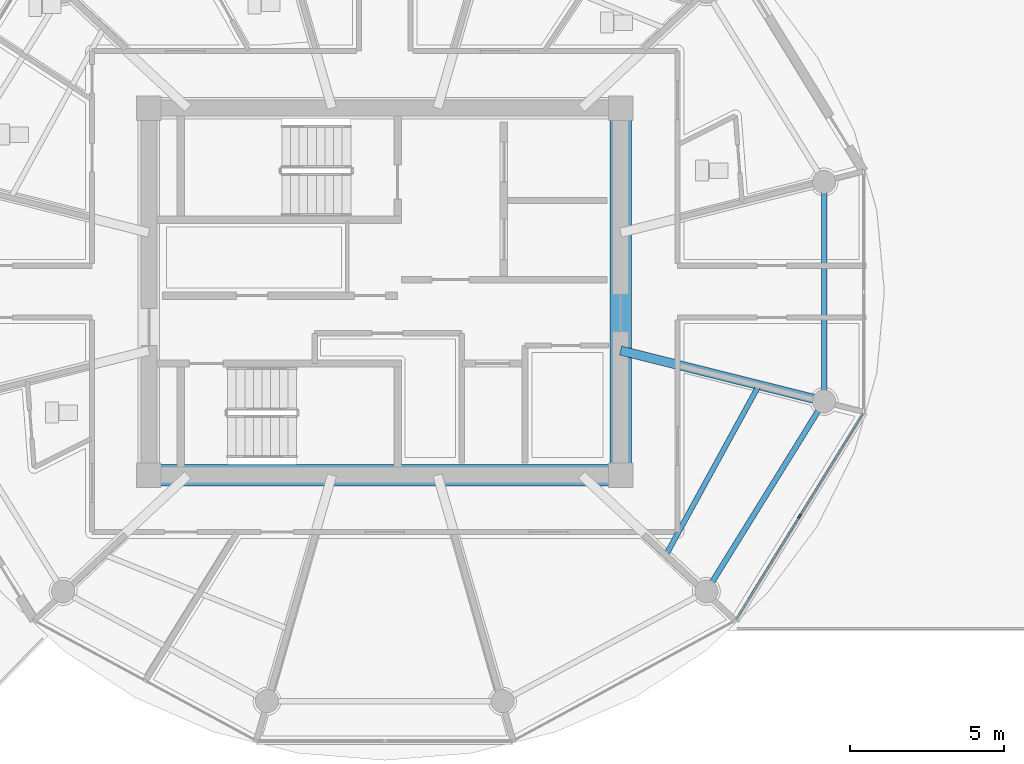
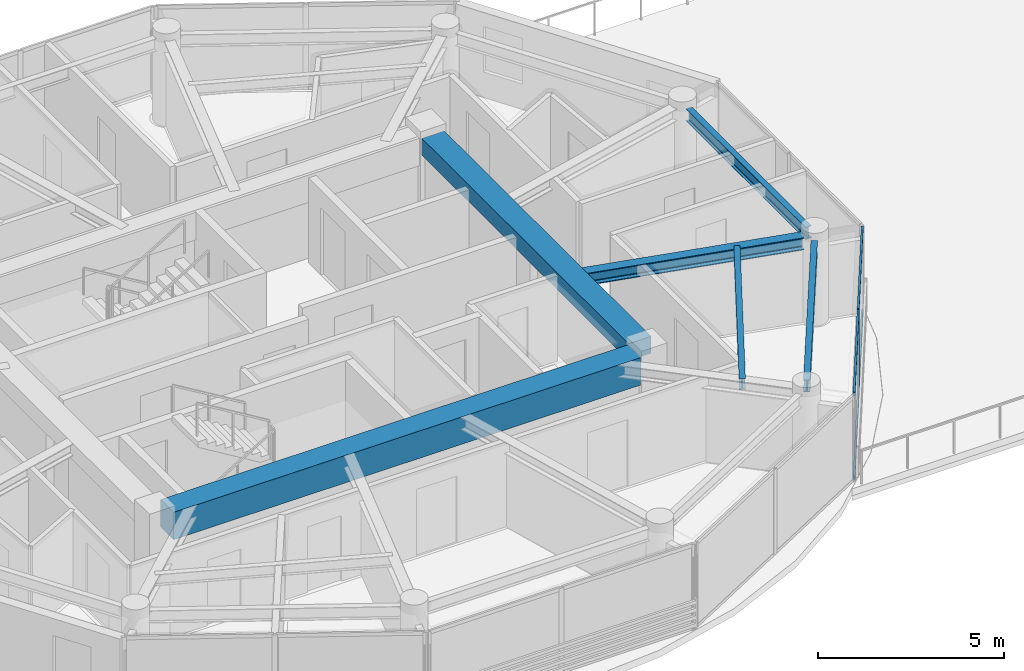
# One storey, part 3 of 30: 6 beams, 5 members, 1 element without a shape of its own.
"""IFC4 building model written with IfcOpenShell, lengths in metres."""

from ifc_helpers import new_model, si_unit, direction, frame, origin, origin_2d, place, context, subcontext, project, spatial, rectangle, i_section, extrude, source, transform, mapped, material, layer, layer_set, material_profile, profile_set, type_object, type_shapes, element, aggregate, save


model = new_model("IFC4")

# Units and contexts
model_context = context("Model", 3, precision=1e-05, world=origin(), true_north=direction((0.0, 1.0)))
body_context = subcontext(model_context, "Body", "Model", "MODEL_VIEW")
ifc_project = project(units=[si_unit("LENGTHUNIT", "METRE"), si_unit("AREAUNIT", "SQUARE_METRE"), si_unit("VOLUMEUNIT", "CUBIC_METRE"), si_unit("PLANEANGLEUNIT", "RADIAN"), si_unit("MASSUNIT", "GRAM", prefix="KILO")], contexts=[model_context])

# Site, building, storey
site_placement = place(None, origin())
site = spatial("IfcSite", under=ifc_project, at=site_placement, CompositionType="ELEMENT")
building_placement = place(site_placement, origin())
building = spatial("IfcBuilding", under=site, at=building_placement, Name="Norrkilde Senior Care Towers", CompositionType="ELEMENT")
storey_placement = place(building_placement, frame((0.0, 0.0, 232.199951171875)))
storey = spatial("IfcBuildingStorey", under=building, at=storey_placement, Name="L72", CompositionType="ELEMENT", Elevation=232.199951171875)

# Beams
ifc_material_1 = material(Name="Concrete C60/75", Category="concrete")
ifc_material_profile_1 = material_profile(ifc_material_1, rectangle(XDim=0.699951171875, YDim=0.89990234375, at=origin_2d()), Name="RC BM 700x900")
ifc_profile_set_1 = profile_set([ifc_material_profile_1], Name="Concrete C60/75")
beam_type_1 = type_object("IfcBeamType", Name="Core Coupling Girder 700x900", PredefinedType="USERDEFINED", material=ifc_profile_set_1)
shared_shape_1 = source(origin(), body_context, "Body", "SweptSolid", [
    extrude(rectangle(XDim=0.699951171875, YDim=0.89990234375, at=origin_2d()), origin(), (0.0, 0.0, 1.0), 14.5400390625),
])
type_shapes(beam_type_1, [shared_shape_1])
beam_1_placement = place(storey_placement, frame((-35.27001953125, -5.949951171875, 2.360107421875), z_axis=(1.0, 0.0, 0.0), x_axis=(0.0, 1.0, 0.0)))
element("IfcBeam", 1, at=beam_1_placement, inside=storey, type_object=beam_type_1, Name="L72 Core W S Coupling Girder", ObjectType="GIRDER", PredefinedType="USERDEFINED", context=body_context, shape_type="MappedRepresentation", body=[
    mapped(shared_shape_1, transform((0.0, 0.0, 0.0), x_axis=(1.0, 0.0, 0.0), y_axis=(0.0, 1.0, 0.0), z_axis=(0.0, 0.0, 1.0), scale=1.0)),
])
ifc_material_profile_2 = material_profile(ifc_material_1, rectangle(XDim=0.699951171875, YDim=0.550048828125, at=origin_2d()), Name="RC BM 700x550")
ifc_profile_set_2 = profile_set([ifc_material_profile_2], Name="Concrete C60/75")
beam_type_2 = type_object("IfcBeamType", Name="Core Portal Coupling Beam 700x550", PredefinedType="USERDEFINED", material=ifc_profile_set_2)
shared_shape_2 = source(origin(), body_context, "Body", "SweptSolid", [
    extrude(rectangle(XDim=0.699951171875, YDim=0.550048828125, at=origin_2d()), origin(), (0.0, 0.0, 1.0), 11.14013671875),
])
type_shapes(beam_type_2, [shared_shape_2])
beam_2_placement = place(storey_placement, frame((-20.35009765625, -5.570068359375, 2.53515625), z_axis=(0.0, 1.0, 0.0), x_axis=(-1.0, 0.0, 0.0)))
element("IfcBeam", 2, at=beam_2_placement, inside=storey, type_object=beam_type_2, Name="L72 Core W E Coupling Girder", ObjectType="GIRDER", PredefinedType="USERDEFINED", context=body_context, shape_type="MappedRepresentation", body=[
    mapped(shared_shape_2, transform((0.0, 0.0, 0.0), x_axis=(1.0, 0.0, 0.0), y_axis=(0.0, 1.0, 0.0), z_axis=(0.0, 0.0, 1.0), scale=1.0)),
])
ifc_material_2 = material(Name="Steel S355", Category="steel")
ifc_material_profile_3 = material_profile(ifc_material_2, i_section(OverallWidth=0.179931640625, OverallDepth=0.39990234375, WebThickness=0.008544921875, FlangeThickness=0.013427734375, FilletRadius=0.02099609375, at=origin_2d()), Name="IPE 400")
ifc_profile_set_3 = profile_set([ifc_material_profile_3], Name="Steel S355")
beam_type_3 = type_object("IfcBeamType", Name="Perimeter Ring Spandrel Z4 IPE400", PredefinedType="SPANDREL", material=ifc_profile_set_3)
shared_shape_3 = source(origin(), body_context, "Body", "SweptSolid", [
    extrude(i_section(OverallWidth=0.179931640625, OverallDepth=0.39990234375, WebThickness=0.008544921875, FlangeThickness=0.013427734375, FilletRadius=0.02099609375, at=origin_2d()), origin(), (0.0, 0.0, 1.0), 6.58056640625),
])
beam_3_placement = place(storey_placement, frame((-17.393798828125, -9.43798828125, 2.610107421875), z_axis=(0.526529583789, 0.850156807533, 0.0), x_axis=(-0.850156807533, 0.526529583789, 0.0)))
element("IfcBeam", 3, at=beam_3_placement, inside=storey, type_object=beam_type_3, Name="L72 Drum W Perimeter Spandrel 11", PredefinedType="SPANDREL", context=body_context, shape_type="MappedRepresentation", body=[
    mapped(shared_shape_3, transform((0.0, 0.0, 0.0), x_axis=(1.0, 0.0, 0.0), y_axis=(0.0, 1.0, 0.0), z_axis=(0.0, 0.0, 1.0), scale=1.0)),
])
ifc_material_profile_4 = material_profile(ifc_material_2, i_section(OverallWidth=0.300048828125, OverallDepth=0.39990234375, WebThickness=0.013427734375, FlangeThickness=0.02392578125, FilletRadius=0.027099609375, at=origin_2d()), Name="HEB 400")
ifc_profile_set_4 = profile_set([ifc_material_profile_4], Name="Steel S355")
beam_type_4 = type_object("IfcBeamType", Name="Radial Floor Beam Z4 HEB400", PredefinedType="BEAM", material=ifc_profile_set_4)
shared_shape_4 = source(origin(), body_context, "Body", "SweptSolid", [
    extrude(i_section(OverallWidth=0.300048828125, OverallDepth=0.39990234375, WebThickness=0.013427734375, FlangeThickness=0.02392578125, FilletRadius=0.027099609375, at=origin_2d()), origin(), (0.0, 0.0, 1.0), 6.465087890625),
])
type_shapes(beam_type_4, [shared_shape_4])
beam_4_placement = place(storey_placement, frame((-20.35009765625, -1.910888671875, 2.610107421875), z_axis=(0.970195788563, -0.242322371758, 0.0), x_axis=(0.242322371758, 0.970195788563, 0.0)))
element("IfcBeam", 4, at=beam_4_placement, inside=storey, type_object=beam_type_4, Name="L72 Drum W Radial Floor Beam 12", PredefinedType="BEAM", context=body_context, shape_type="MappedRepresentation", body=[
    mapped(shared_shape_4, transform((0.0, 0.0, 0.0), x_axis=(1.0, 0.0, 0.0), y_axis=(0.0, 1.0, 0.0), z_axis=(0.0, 0.0, 1.0), scale=1.0)),
])
shared_shape_5 = source(origin(), body_context, "Body", "SweptSolid", [
    extrude(i_section(OverallWidth=0.179931640625, OverallDepth=0.39990234375, WebThickness=0.008544921875, FlangeThickness=0.013427734375, FilletRadius=0.02099609375, at=origin_2d()), origin(), (0.0, 0.0, 1.0), 6.44775390625),
])
type_shapes(beam_type_3, [shared_shape_3, shared_shape_5])
beam_5_placement = place(storey_placement, frame((-13.752685546875, -3.223876953125, 2.610107421875), z_axis=(0.0, 1.0, 0.0), x_axis=(-1.0, 0.0, 0.0)))
element("IfcBeam", 5, at=beam_5_placement, inside=storey, type_object=beam_type_3, Name="L72 Drum W Perimeter Spandrel 12", PredefinedType="SPANDREL", context=body_context, shape_type="MappedRepresentation", body=[
    mapped(shared_shape_5, transform((0.0, 0.0, 0.0), x_axis=(1.0, 0.0, 0.0), y_axis=(0.0, 1.0, 0.0), z_axis=(0.0, 0.0, 1.0), scale=1.0)),
])
ifc_material_profile_5 = material_profile(ifc_material_2, i_section(OverallWidth=0.169921875, OverallDepth=0.360107421875, WebThickness=0.008056640625, FlangeThickness=0.0126953125, FilletRadius=0.01806640625, at=origin_2d()), Name="IPE 360")
ifc_profile_set_5 = profile_set([ifc_material_profile_5], Name="Steel S355")
beam_type_5 = type_object("IfcBeamType", Name="Secondary Floor Joist IPE360", PredefinedType="JOIST", material=ifc_profile_set_5)
shared_shape_6 = source(origin(), body_context, "Body", "SweptSolid", [
    extrude(i_section(OverallWidth=0.169921875, OverallDepth=0.360107421875, WebThickness=0.008056640625, FlangeThickness=0.0126953125, FilletRadius=0.01806640625, at=origin_2d()), origin(), (0.0, 0.0, 1.0), 6.25146484375),
])
type_shapes(beam_type_5, [shared_shape_6])
beam_6_placement = place(storey_placement, frame((-18.865234375, -8.515380859375, 2.630126953125), z_axis=(0.480115752653, 0.877205143655, 0.0), x_axis=(-0.877205143655, 0.480115752653, 0.0)))
element("IfcBeam", 6, at=beam_6_placement, inside=storey, type_object=beam_type_5, Name="L72 Drum W Secondary Floor Joist 4", PredefinedType="JOIST", context=body_context, shape_type="MappedRepresentation", body=[
    mapped(shared_shape_6, transform((0.0, 0.0, 0.0), x_axis=(1.0, 0.0, 0.0), y_axis=(0.0, 1.0, 0.0), z_axis=(0.0, 0.0, 1.0), scale=1.0)),
])

# Curtain wall, members
ifc_material_3 = material(Name="Triple Low-E Insulated Glazing", Category="glass")
ifc_layer = layer(ifc_material_3, 0.18505859375)
ifc_layer_set = layer_set([ifc_layer], Name="Triple Low-E Insulated Glazing")
curtain_wall_type = type_object("IfcCurtainWallType", Name="CW6 Zone 4 Crown Pavilion Curtain Wall", PredefinedType="NOTDEFINED", material=ifc_layer_set)
curtain_wall_placement = place(storey_placement, origin())
curtain_wall = element("IfcCurtainWall", 7, at=curtain_wall_placement, inside=storey, type_object=curtain_wall_type, Name="L72 Drum W Curtain Wall 10", PredefinedType="NOTDEFINED")
ifc_material_4 = material(Name="Anodised Aluminium", Category="aluminium")
ifc_material_profile_6 = material_profile(ifc_material_4, rectangle(XDim=0.06494140625, YDim=0.14990234375, at=origin_2d()), Name="ALU MULL 65x150")
ifc_profile_set_6 = profile_set([ifc_material_profile_6], Name="Anodised Aluminium")
member_type_1 = type_object("IfcMemberType", Name="Curtain Wall Mullion Z3-Z4 65x150", PredefinedType="MULLION", material=ifc_profile_set_6)
shared_shape_7 = source(origin(), body_context, "Body", "SweptSolid", [
    extrude(rectangle(XDim=0.06494140625, YDim=0.14990234375, at=origin_2d()), origin(), (0.0, 0.0, 1.0), 2.81005859375),
])
type_shapes(member_type_1, [shared_shape_7])
member_1_placement = place(storey_placement, frame((-14.548828125, -7.282958984375, 0.0), z_axis=(0.0, 0.0, 1.0), x_axis=(0.851562727283, -0.524252726748, 0.0)))
member_1 = element("IfcMember", 8, at=member_1_placement, type_object=member_type_1, Name="CW-6 mullion 2", PredefinedType="MULLION", context=body_context, shape_type="MappedRepresentation", body=[
    mapped(shared_shape_7, transform((0.0, 0.0, 0.0), x_axis=(1.0, 0.0, 0.0), y_axis=(0.0, 1.0, 0.0), z_axis=(0.0, 0.0, 1.0), scale=1.0)),
])
ifc_material_profile_7 = material_profile(ifc_material_4, rectangle(XDim=0.06005859375, YDim=0.1201171875, at=origin_2d()), Name="ALU TRAN 60x120")
ifc_profile_set_7 = profile_set([ifc_material_profile_7], Name="Anodised Aluminium")
member_type_2 = type_object("IfcMemberType", Name="Curtain Wall Transom Typical 60x120", PredefinedType="USERDEFINED", material=ifc_profile_set_7)
shared_shape_8 = source(origin(), body_context, "Body", "SweptSolid", [
    extrude(rectangle(XDim=0.06005859375, YDim=0.1201171875, at=origin_2d()), origin(), (0.0, 0.0, 1.0), 3.871826171875),
])
type_shapes(member_type_2, [shared_shape_8])
member_2_placement = place(storey_placement, frame((-12.501953125, -3.958251953125, 0.030029296875), z_axis=(-0.524245179227, -0.851567373763, 0.0), x_axis=(0.851567373763, -0.524245179227, 0.0)))
member_2 = element("IfcMember", 9, at=member_2_placement, type_object=member_type_2, Name="CW-6 transom 1.1", ObjectType="TRANSOM", PredefinedType="USERDEFINED", context=body_context, shape_type="MappedRepresentation", body=[
    mapped(shared_shape_8, transform((0.0, 0.0, 0.0), x_axis=(1.0, 0.0, 0.0), y_axis=(0.0, 1.0, 0.0), z_axis=(0.0, 0.0, 1.0), scale=1.0)),
])
member_3_placement = place(storey_placement, frame((-12.501953125, -3.958251953125, 2.780029296875), z_axis=(-0.524245179227, -0.851567373763, 0.0), x_axis=(0.851567373763, -0.524245179227, 0.0)))
member_3 = element("IfcMember", 10, at=member_3_placement, type_object=member_type_2, Name="CW-6 transom 1.2", ObjectType="TRANSOM", PredefinedType="USERDEFINED", context=body_context, shape_type="MappedRepresentation", body=[
    mapped(shared_shape_8, transform((0.0, 0.0, 0.0), x_axis=(1.0, 0.0, 0.0), y_axis=(0.0, 1.0, 0.0), z_axis=(0.0, 0.0, 1.0), scale=1.0)),
])
member_4_placement = place(storey_placement, frame((-14.56591796875, -7.310791015625, 0.030029296875), z_axis=(-0.524245179227, -0.851567373763, 0.0), x_axis=(0.851567373763, -0.524245179227, 0.0)))
member_4 = element("IfcMember", 11, at=member_4_placement, type_object=member_type_2, Name="CW-6 transom 2.1", ObjectType="TRANSOM", PredefinedType="USERDEFINED", context=body_context, shape_type="MappedRepresentation", body=[
    mapped(shared_shape_8, transform((0.0, 0.0, 0.0), x_axis=(1.0, 0.0, 0.0), y_axis=(0.0, 1.0, 0.0), z_axis=(0.0, 0.0, 1.0), scale=1.0)),
])
member_5_placement = place(storey_placement, frame((-14.56591796875, -7.310791015625, 2.780029296875), z_axis=(-0.524245179227, -0.851567373763, 0.0), x_axis=(0.851567373763, -0.524245179227, 0.0)))
member_5 = element("IfcMember", 12, at=member_5_placement, type_object=member_type_2, Name="CW-6 transom 2.2", ObjectType="TRANSOM", PredefinedType="USERDEFINED", context=body_context, shape_type="MappedRepresentation", body=[
    mapped(shared_shape_8, transform((0.0, 0.0, 0.0), x_axis=(1.0, 0.0, 0.0), y_axis=(0.0, 1.0, 0.0), z_axis=(0.0, 0.0, 1.0), scale=1.0)),
])
aggregate(curtain_wall, [member_1, member_2, member_3, member_4, member_5])

save(model, "model.ifc")
